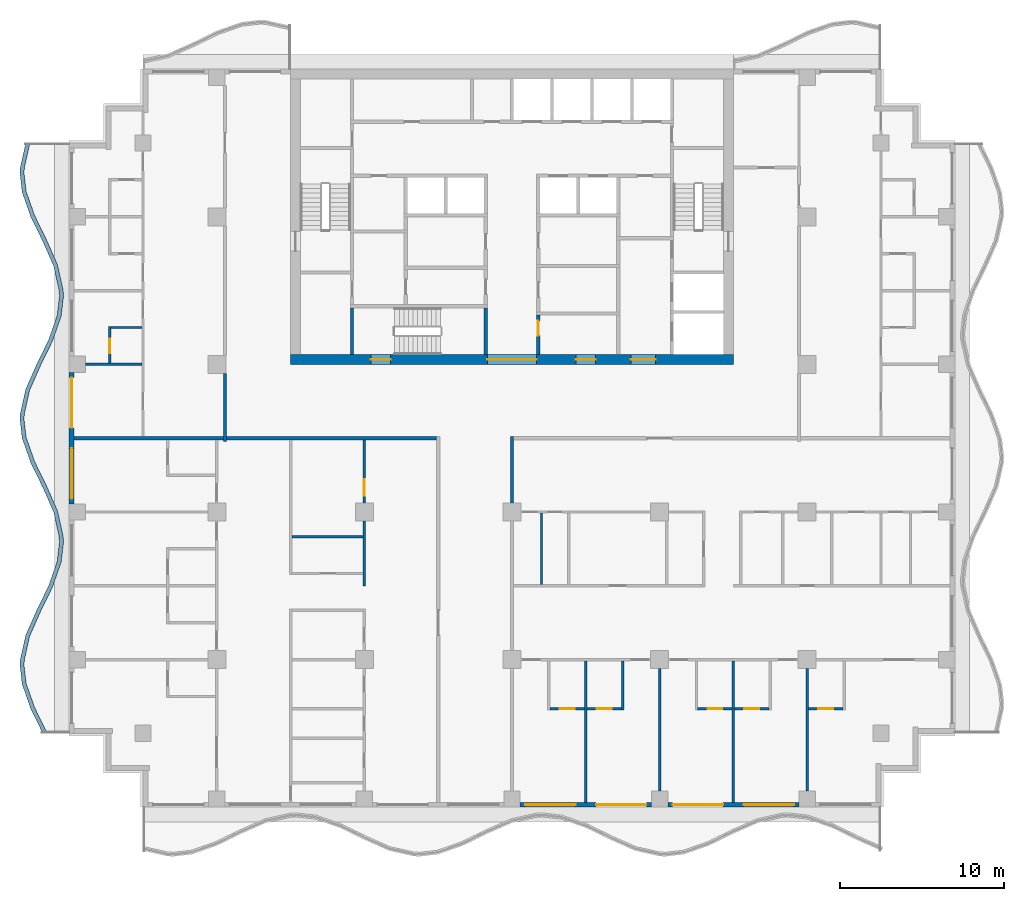
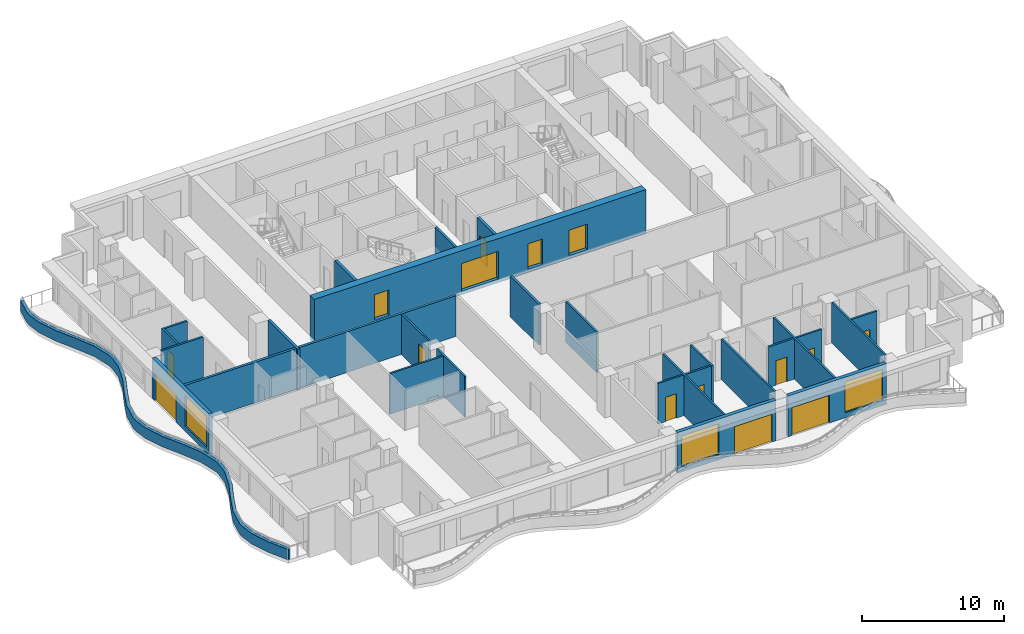
# One storey, part 3 of 12: 29 walls, 15 doors, 3 windows, 18 openings.
"""IFC4 building model written with IfcOpenShell, lengths in metres."""

import ifcopenshell
import ifcopenshell.guid

model = None  # the IFC model being written
_history = None  # IfcOwnerHistory: only IFC2X3 demands one
_inside = {}  # id of a spatial element -> (the spatial element, [elements in it])
_under = {}  # id of a project, library or spatial element -> (it, [spatial elements below it])
_declared = {}  # id of a project -> (the project, [libraries it declares])
_typed = {}  # id of a type object -> (the type object, [elements of that type])
_made_of = {}  # id of a material, layer set ... -> (it, [elements and type objects made of it])


def new_model(schema):
    """Start an empty IFC model of exactly this schema.

    Asked for "IFC4X3", IfcOpenShell would pick the latest addendum, in which some entities
    have other attributes; the version numbers below select the first issue.
    IFC2X3 requires an IfcOwnerHistory on every rooted entity: one is made here for all.
    """
    global model, _history
    if schema == "IFC4X3":
        model = ifcopenshell.file(schema_version=(4, 3, 0, 0))
    else:
        model = ifcopenshell.file(schema=schema)
    _inside.clear()
    _under.clear()
    _declared.clear()
    _typed.clear()
    _made_of.clear()
    _history = None
    if model.schema == "IFC2X3":
        org = make("IfcOrganization", Name="unknown")
        user = make(
            "IfcPersonAndOrganization",
            ThePerson=make("IfcPerson", FamilyName="unknown"),
            TheOrganization=org,
        )
        app = make(
            "IfcApplication",
            ApplicationDeveloper=org,
            Version="unknown",
            ApplicationFullName="unknown",
            ApplicationIdentifier="unknown",
        )
        _history = make(
            "IfcOwnerHistory",
            OwningUser=user,
            OwningApplication=app,
            ChangeAction="ADDED",
            CreationDate=0,
        )
    return model


def make(cls, **values):
    """One entity of the class cls with the attributes given. An attribute that is None is left unset."""
    return model.create_entity(
        cls, **{name: value for name, value in values.items() if value is not None}
    )


def rooted(cls, **values):
    """An entity with a GlobalId (a new one), such as an element, a storey or a relation."""
    return make(cls, GlobalId=ifcopenshell.guid.new(), OwnerHistory=_history, **values)


def si_unit(unit_type, name, prefix=None):
    """IfcSIUnit, for example si_unit("LENGTHUNIT", "METRE", prefix="MILLI")."""
    return make("IfcSIUnit", UnitType=unit_type, Prefix=prefix, Name=name)


def assignment(units):
    """IfcUnitAssignment: the units of a project."""
    return None if units is None else make("IfcUnitAssignment", Units=units)


def point(xyz):
    """IfcCartesianPoint."""
    return None if xyz is None else make("IfcCartesianPoint", Coordinates=xyz)


def direction(xyz):
    """IfcDirection."""
    return None if xyz is None else make("IfcDirection", DirectionRatios=xyz)


def frame(location, z_axis=None, x_axis=None):
    """IfcAxis2Placement3D, a coordinate frame: its origin and axes. An axis left out is left unset."""
    return make(
        "IfcAxis2Placement3D",
        Location=point(location),
        Axis=direction(z_axis),
        RefDirection=direction(x_axis),
    )


def frame_2d(location, x_axis=None):
    """IfcAxis2Placement2D, a coordinate frame in the plane: its origin and x axis."""
    return make(
        "IfcAxis2Placement2D", Location=point(location), RefDirection=direction(x_axis)
    )


def origin():
    """The frame at (0, 0, 0) with its axes left unset."""
    return frame((0.0, 0.0, 0.0))


def place(relative_to, where):
    """IfcLocalPlacement: puts the frame where relative to a parent placement (None: the world)."""
    return make(
        "IfcLocalPlacement", PlacementRelTo=relative_to, RelativePlacement=where
    )


def context(
    kind, dimensions, precision=None, world=None, true_north=None, identifier=None
):
    """IfcGeometricRepresentationContext, for example the 3D "Model" context."""
    return make(
        "IfcGeometricRepresentationContext",
        ContextIdentifier=identifier,
        ContextType=kind,
        CoordinateSpaceDimension=dimensions,
        Precision=precision,
        WorldCoordinateSystem=world,
        TrueNorth=true_north,
    )


def subcontext(parent, identifier, kind, view, scale=None):
    """IfcGeometricRepresentationSubContext, for example "Body" below "Model"."""
    return make(
        "IfcGeometricRepresentationSubContext",
        ContextIdentifier=identifier,
        ContextType=kind,
        ParentContext=parent,
        TargetScale=scale,
        TargetView=view,
    )


def project(units=None, contexts=None):
    """IfcProject with its units and contexts."""
    return rooted(
        "IfcProject",
        Name="project",
        RepresentationContexts=contexts,
        UnitsInContext=assignment(units),
    )


def spatial(cls, under=None, at=None, **own):
    """A site, building, storey or space (cls), placed at a placement, below another one or the project."""
    s = rooted(cls, ObjectPlacement=at, **own)
    if under is not None:
        _under.setdefault(under.id(), (under, []))[1].append(s)
    return s


def polyline(points):
    """IfcPolyline through the points."""
    return make("IfcPolyline", Points=[point(p) for p in points])


def profile(cls, at=None, kind="AREA", **sizes):
    """A parametric profile (cls). Its sizes go by their IFC names, for example OverallWidth=200.0."""
    return make(cls, ProfileType=kind, Position=at, **sizes)


def rectangle(**sizes):
    """IfcRectangleProfileDef."""
    return profile("IfcRectangleProfileDef", **sizes)


def outline(outer, holes=None, kind="AREA"):
    """IfcArbitraryClosedProfileDef: a profile drawn as a closed curve; with holes, ...WithVoids."""
    if holes is None:
        return make("IfcArbitraryClosedProfileDef", ProfileType=kind, OuterCurve=outer)
    return make(
        "IfcArbitraryProfileDefWithVoids",
        ProfileType=kind,
        OuterCurve=outer,
        InnerCurves=holes,
    )


def extrude(swept, where, along, depth):
    """IfcExtrudedAreaSolid: the profile swept, set in the frame where, extruded along a direction by depth."""
    return make(
        "IfcExtrudedAreaSolid",
        SweptArea=swept,
        Position=where,
        ExtrudedDirection=direction(along),
        Depth=depth,
    )


def shape(context_of_items, identifier, shape_type, items):
    """IfcShapeRepresentation: the items that make up one representation, for example the "Body"."""
    return make(
        "IfcShapeRepresentation",
        ContextOfItems=context_of_items,
        RepresentationIdentifier=identifier,
        RepresentationType=shape_type,
        Items=items,
    )


def material(Name=None, Category=None):
    """IfcMaterial."""
    return make("IfcMaterial", Name=Name, Category=Category)


def layer(
    of_material, thickness, ventilated=None, Name=None, Category=None, Priority=None
):
    """IfcMaterialLayer: one layer of a wall or slab, of a material (None: an air gap)."""
    return make(
        "IfcMaterialLayer",
        Material=of_material,
        LayerThickness=thickness,
        IsVentilated=ventilated,
        Name=Name,
        Category=Category,
        Priority=Priority,
    )


def layer_set(layers, Name=None):
    """IfcMaterialLayerSet."""
    return make("IfcMaterialLayerSet", MaterialLayers=layers, LayerSetName=Name)


def made_of(thing, what):
    """Note that an element or type object is made of a material, layer set ...; save() writes the relation."""
    if what is not None:
        _made_of.setdefault(what.id(), (what, []))[1].append(thing)
    return thing


def type_object(cls, material=None, **own):
    """A type object (cls), such as IfcWallType, which elements share."""
    return made_of(rooted(cls, **own), material)


def element(
    cls,
    number,
    at=None,
    inside=None,
    cuts=None,
    type_object=None,
    material=None,
    context=None,
    identifier="Body",
    shape_type=None,
    held_by="IfcProductDefinitionShape",
    body=None,
    shapes=None,
    **own,
):
    """One element of the class cls, such as IfcWall. Its Tag is "e" and its number.

    at: its placement. inside: the storey or other place that contains it. cuts: it is an
    opening in that element (IfcRelVoidsElement). A single representation is given by context,
    identifier, shape_type and body (its items); several are given by shapes. held_by: the class
    of the entity that holds the representations. save() writes the other relations.
    """
    e = rooted(cls, Tag="e%d" % number, ObjectPlacement=at, **own)
    if body is not None:
        shapes = [shape(context, identifier, shape_type, body)]
    if shapes is not None:
        e.Representation = make(held_by, Representations=shapes)
    if inside is not None:
        _inside.setdefault(inside.id(), (inside, []))[1].append(e)
    if cuts is not None:
        rooted(
            "IfcRelVoidsElement", RelatingBuildingElement=cuts, RelatedOpeningElement=e
        )
    if type_object is not None:
        _typed.setdefault(type_object.id(), (type_object, []))[1].append(e)
    return made_of(e, material)


def fill(opening, filler):
    """IfcRelFillsElement: the door or window that sits in an opening."""
    return rooted(
        "IfcRelFillsElement",
        RelatingOpeningElement=opening,
        RelatedBuildingElement=filler,
    )


def aggregate(whole, parts):
    """IfcRelAggregates: a whole, such as a stair, and the parts it consists of."""
    return rooted("IfcRelAggregates", RelatingObject=whole, RelatedObjects=parts)


def save(model, path):
    """Write the relations noted so far, then the file.

    IfcRelAggregates (storeys below a building ...), IfcRelContainedInSpatialStructure (elements
    in a storey), IfcRelDefinesByType, IfcRelAssociatesMaterial and IfcRelDeclares: one each for
    every whole, place, type object, material and project.
    """
    for whole, parts in _under.values():
        aggregate(whole, parts)
    for where, things in _inside.values():
        rooted(
            "IfcRelContainedInSpatialStructure",
            RelatedElements=things,
            RelatingStructure=where,
        )
    for kind, things in _typed.values():
        rooted("IfcRelDefinesByType", RelatedObjects=things, RelatingType=kind)
    for what, things in _made_of.values():
        rooted("IfcRelAssociatesMaterial", RelatedObjects=things, RelatingMaterial=what)
    for by, libraries in _declared.values():
        rooted("IfcRelDeclares", RelatingContext=by, RelatedDefinitions=libraries)
    model.write(path)


model = new_model("IFC4")

# Units and contexts
model_context = context("Model", 3, precision=1e-05, world=origin(), true_north=direction((0.0, 1.0)))
body_context = subcontext(model_context, "Body", "Model", "MODEL_VIEW")
ifc_project = project(units=[si_unit("LENGTHUNIT", "METRE"), si_unit("AREAUNIT", "SQUARE_METRE"), si_unit("VOLUMEUNIT", "CUBIC_METRE"), si_unit("PLANEANGLEUNIT", "RADIAN"), si_unit("MASSUNIT", "GRAM", prefix="KILO")], contexts=[model_context])

# Site, building, storey
site_placement = place(None, origin())
site = spatial("IfcSite", under=ifc_project, at=site_placement, CompositionType="ELEMENT")
building_placement = place(site_placement, origin())
building = spatial("IfcBuilding", under=site, at=building_placement, Name="Orbiselva Terraces", CompositionType="ELEMENT")
storey_placement = place(building_placement, frame((0.0, 0.0, 214.8)))
storey = spatial("IfcBuildingStorey", under=building, at=storey_placement, Name="L54", CompositionType="ELEMENT", Elevation=214.8)

# Wall, openings, doors
ifc_material_1 = material(Name="Concrete C80/95", Category="concrete")
ifc_layer_1 = layer(ifc_material_1, 0.6)
ifc_layer_set_1 = layer_set([ifc_layer_1], Name="Concrete C80/95")
wall_type_1 = type_object("IfcWallType", Name="CORE WALL 600", PredefinedType="SHEAR", material=ifc_layer_set_1)
wall_1_placement = place(storey_placement, frame((-13.5, 4.8, -0.3), z_axis=(0.0, 0.0, 1.0), x_axis=(1.0, 0.0, 0.0)))
wall_1 = element("IfcWall", 1, at=wall_1_placement, inside=storey, type_object=wall_type_1, Name="Core wall L54 south", PredefinedType="SHEAR", context=body_context, shape_type="SweptSolid", body=[
    extrude(rectangle(XDim=27.0, YDim=0.6, at=frame_2d((13.5, 0.0))), origin(), (0.0, 0.0, 1.0), 3.8),
])
opening_1_placement = place(wall_1_placement, frame((12.0, 0.0, 0.3)))
opening_1 = element("IfcOpeningElement", 2, at=opening_1_placement, cuts=wall_1, Name="Opening DL3000", PredefinedType="OPENING", context=body_context, shape_type="SweptSolid", body=[
    extrude(rectangle(XDim=3.0, YDim=2.4, at=frame_2d((1.5, 1.2))), frame((0.0, 0.31, 0.0), z_axis=(0.0, -1.0, 0.0), x_axis=(1.0, 0.0, 0.0)), (0.0, 0.0, 1.0), 0.62),
])
opening_2_placement = place(wall_1_placement, frame((4.9, 0.0, 0.3)))
opening_2 = element("IfcOpeningElement", 3, at=opening_2_placement, cuts=wall_1, Name="Opening DS1200", PredefinedType="OPENING", context=body_context, shape_type="SweptSolid", body=[
    extrude(rectangle(XDim=1.2, YDim=2.2, at=frame_2d((0.6, 1.1))), frame((0.0, 0.31, 0.0), z_axis=(0.0, -1.0, 0.0), x_axis=(1.0, 0.0, 0.0)), (0.0, 0.0, 1.0), 0.62),
])
opening_3_placement = place(wall_1_placement, frame((20.75, 0.0, 0.3)))
opening_3 = element("IfcOpeningElement", 4, at=opening_3_placement, cuts=wall_1, Name="Opening DF1500", PredefinedType="OPENING", context=body_context, shape_type="SweptSolid", body=[
    extrude(rectangle(XDim=1.5, YDim=2.2, at=frame_2d((0.75, 1.1))), frame((0.0, 0.31, 0.0), z_axis=(0.0, -1.0, 0.0), x_axis=(1.0, 0.0, 0.0)), (0.0, 0.0, 1.0), 0.62),
])
opening_4_placement = place(wall_1_placement, frame((17.4, 0.0, 0.3)))
opening_4 = element("IfcOpeningElement", 5, at=opening_4_placement, cuts=wall_1, Name="Opening DV1200", PredefinedType="OPENING", context=body_context, shape_type="SweptSolid", body=[
    extrude(rectangle(XDim=1.2, YDim=2.2, at=frame_2d((0.6, 1.1))), frame((0.0, 0.31, 0.0), z_axis=(0.0, -1.0, 0.0), x_axis=(1.0, 0.0, 0.0)), (0.0, 0.0, 1.0), 0.62),
])
ifc_material_2 = material(Name="Steel fire door", Category="steel")
door_type_1 = type_object("IfcDoorType", Name="FFL DOOR 1500", OperationType="DOUBLE_DOOR_SINGLE_SWING", PredefinedType="DOOR", material=ifc_material_2)
door_1_placement = place(opening_3_placement, frame((1.5, 0.0, 0.0), z_axis=(0.0, 0.0, 1.0), x_axis=(-1.0, 0.0, 0.0)))
door_1 = element("IfcDoor", 6, at=door_1_placement, inside=storey, type_object=door_type_1, Name="L54 FIRE-FIGHTING LOBBY door", OperationType="DOUBLE_DOOR_SINGLE_SWING", OverallHeight=2.2, OverallWidth=1.5, PredefinedType="DOOR", context=body_context, shape_type="SweptSolid", body=[
    extrude(rectangle(XDim=1.5, YDim=2.2, at=frame_2d((0.75, 1.1))), frame((0.0, 0.025, 0.0), z_axis=(0.0, -1.0, 0.0), x_axis=(1.0, 0.0, 0.0)), (0.0, 0.0, 1.0), 0.05),
])
fill(opening_3, door_1)
door_type_2 = type_object("IfcDoorType", Name="LOBBY DOOR 3000", OperationType="DOUBLE_DOOR_SINGLE_SWING", PredefinedType="DOOR", material=ifc_material_2)
door_2_placement = place(opening_1_placement, frame((3.0, 0.0, 0.0), z_axis=(0.0, 0.0, 1.0), x_axis=(-1.0, 0.0, 0.0)))
door_2 = element("IfcDoor", 7, at=door_2_placement, inside=storey, type_object=door_type_2, Name="L54 LIFT LOBBY door", OperationType="DOUBLE_DOOR_SINGLE_SWING", OverallHeight=2.4, OverallWidth=3.0, PredefinedType="DOOR", context=body_context, shape_type="SweptSolid", body=[
    extrude(rectangle(XDim=3.0, YDim=2.4, at=frame_2d((1.5, 1.2))), frame((0.0, 0.025, 0.0), z_axis=(0.0, -1.0, 0.0), x_axis=(1.0, 0.0, 0.0)), (0.0, 0.0, 1.0), 0.05),
])
fill(opening_1, door_2)
door_type_3 = type_object("IfcDoorType", Name="SERVICE DOOR 1200", OperationType="NOTDEFINED", PredefinedType="DOOR", material=ifc_material_2)
door_3_placement = place(opening_4_placement, frame((1.2, 0.0, 0.0), z_axis=(0.0, 0.0, 1.0), x_axis=(-1.0, 0.0, 0.0)))
door_3 = element("IfcDoor", 8, at=door_3_placement, inside=storey, type_object=door_type_3, Name="L54 ELECTRICAL RISER ROOM door", OperationType="SINGLE_SWING_RIGHT", OverallHeight=2.2, OverallWidth=1.2, PredefinedType="DOOR", context=body_context, shape_type="SweptSolid", body=[
    extrude(rectangle(XDim=1.2, YDim=2.2, at=frame_2d((0.6, 1.1))), frame((0.0, 0.025, 0.0), z_axis=(0.0, -1.0, 0.0), x_axis=(1.0, 0.0, 0.0)), (0.0, 0.0, 1.0), 0.05),
])
fill(opening_4, door_3)
door_type_4 = type_object("IfcDoorType", Name="STAIR DOOR 1200", OperationType="NOTDEFINED", PredefinedType="DOOR", material=ifc_material_2)
door_4_placement = place(opening_2_placement, frame((1.2, 0.0, 0.0), z_axis=(0.0, 0.0, 1.0), x_axis=(-1.0, 0.0, 0.0)))
door_4 = element("IfcDoor", 9, at=door_4_placement, inside=storey, type_object=door_type_4, Name="L54 EXIT STAIR S3 door", OperationType="SINGLE_SWING_LEFT", OverallHeight=2.2, OverallWidth=1.2, PredefinedType="DOOR", context=body_context, shape_type="SweptSolid", body=[
    extrude(rectangle(XDim=1.2, YDim=2.2, at=frame_2d((0.6, 1.1))), frame((0.0, 0.025, 0.0), z_axis=(0.0, -1.0, 0.0), x_axis=(1.0, 0.0, 0.0)), (0.0, 0.0, 1.0), 0.05),
])
fill(opening_2, door_4)

# Wall, opening, door
ifc_material_3 = material(Name="Masonry blockwork", Category="masonry")
ifc_layer_2 = layer(ifc_material_3, 0.2)
ifc_layer_set_2 = layer_set([ifc_layer_2], Name="Masonry blockwork")
wall_type_2 = type_object("IfcWallType", Name="CORE-WALL-PARTITION-200", PredefinedType="PARTITIONING", material=ifc_layer_set_2)
wall_2_placement = place(storey_placement, frame((1.6, 7.5, 0.0), z_axis=(0.0, 0.0, 1.0), x_axis=(0.0, -1.0, 0.0)))
wall_2 = element("IfcWall", 10, at=wall_2_placement, inside=storey, type_object=wall_type_2, Name="L54 core wall 27", PredefinedType="PARTITIONING", context=body_context, shape_type="SweptSolid", body=[
    extrude(rectangle(XDim=2.4, YDim=0.2, at=frame_2d((1.2, 0.0))), origin(), (0.0, 0.0, 1.0), 3.5),
])
opening_5_placement = place(wall_2_placement, frame((0.35, 0.0, 0.0)))
opening_5 = element("IfcOpeningElement", 11, at=opening_5_placement, cuts=wall_2, Name="Opening DR900", PredefinedType="OPENING", context=body_context, shape_type="SweptSolid", body=[
    extrude(rectangle(XDim=0.9, YDim=2.1, at=frame_2d((0.45, 1.05))), frame((0.0, 0.11, 0.0), z_axis=(0.0, -1.0, 0.0), x_axis=(1.0, 0.0, 0.0)), (0.0, 0.0, 1.0), 0.22),
])
door_type_5 = type_object("IfcDoorType", Name="ROOM DOOR 900", OperationType="NOTDEFINED", PredefinedType="DOOR", material=ifc_material_2)
door_5_placement = place(opening_5_placement, origin())
door_5 = element("IfcDoor", 12, at=door_5_placement, inside=storey, type_object=door_type_5, Name="L54 ELECTRICAL RISER ROOM door", OperationType="SINGLE_SWING_LEFT", OverallHeight=2.1, OverallWidth=0.9, PredefinedType="DOOR", context=body_context, shape_type="SweptSolid", body=[
    extrude(rectangle(XDim=0.9, YDim=2.1, at=frame_2d((0.45, 1.05))), frame((0.0, 0.025, 0.0), z_axis=(0.0, -1.0, 0.0), x_axis=(1.0, 0.0, 0.0)), (0.0, 0.0, 1.0), 0.05),
])
fill(opening_5, door_5)

# Walls
ifc_material_4 = material(Name="Concrete C60/75", Category="concrete")
ifc_layer_3 = layer(ifc_material_4, 0.2)
ifc_layer_set_3 = layer_set([ifc_layer_3], Name="Concrete C60/75")
wall_type_3 = type_object("IfcWallType", Name="CORE-WALL-SHEAR-200", PredefinedType="SHEAR", material=ifc_layer_set_3)
for number, where, z_axis, x_axis, name in (
    (13, (-9.75, 5.1, 0.0), (0.0, 0.0, 1.0), (0.0, 1.0, 0.0), "L54 core wall 03"),
    (14, (-1.6, 5.1, 0.0), (0.0, 0.0, 1.0), (0.0, 1.0, 0.0), "L54 core wall 22"),
):
    element("IfcWall", number, at=place(storey_placement, frame(where, z_axis=z_axis, x_axis=x_axis)), inside=storey, type_object=wall_type_3, Name=name, PredefinedType="SHEAR", context=body_context, shape_type="SweptSolid", body=[
        extrude(rectangle(XDim=2.85, YDim=0.2, at=frame_2d((1.425, 0.0))), origin(), (0.0, 0.0, 1.0), 3.5),
    ])
ifc_material_5 = material(Name="Concrete C40/50", Category="concrete")
ifc_layer_4 = layer(ifc_material_5, 0.25)
ifc_layer_set_4 = layer_set([ifc_layer_4], Name="Concrete C40/50")
wall_type_4 = type_object("IfcWallType", Name="ENV-PLANTER-250x900", PredefinedType="USERDEFINED", material=ifc_layer_set_4)
wall_3_placement = place(storey_placement, origin())
element("IfcWall", 15, at=wall_3_placement, inside=storey, type_object=wall_type_4, Name="Balcony planter L54 W", ObjectType="PLANTER", PredefinedType="USERDEFINED", context=body_context, shape_type="SweptSolid", body=[
    extrude(outline(polyline([(-29.648528, 18.0), (-29.985226, 16.5), (-30.0, 16.125), (-29.869208, 15.0), (-29.344789, 13.5), (-28.612279, 12.0), (-27.951472, 10.5), (-27.614774, 9.0), (-27.6, 8.625), (-27.730792, 7.5), (-28.255211, 6.0), (-28.987721, 4.5), (-29.648528, 3.0), (-29.985226, 1.5), (-30.0, 1.125), (-29.869208, 0.0), (-29.344789, -1.5), (-28.612279, -3.0), (-27.951472, -4.5), (-27.614774, -6.0), (-27.6, -6.375), (-27.730792, -7.5), (-28.255211, -9.0), (-28.987721, -10.5), (-29.648528, -12.0), (-29.985226, -13.5), (-30.0, -13.875), (-29.869208, -15.0), (-29.344789, -16.5), (-28.612279, -18.0), (-28.387634, -17.890297), (-29.113667, -16.40356), (-29.624078, -14.943629), (-29.749429, -13.865428), (-29.736315, -13.532565), (-29.40993, -12.078508), (-28.760919, -10.605286), (-28.024089, -9.09644), (-27.485662, -7.556371), (-27.349429, -6.384572), (-27.365863, -5.967435), (-27.712874, -4.421492), (-28.385477, -2.894714), (-29.113667, -1.40356), (-29.624078, 0.056371), (-29.749429, 1.134572), (-29.736315, 1.467435), (-29.40993, 2.921492), (-28.760919, 4.394714), (-28.024089, 5.90356), (-27.485662, 7.443629), (-27.349429, 8.615428), (-27.365863, 9.032565), (-27.712874, 10.578508), (-28.385477, 12.105286), (-29.113667, 13.59644), (-29.624078, 15.056371), (-29.749429, 16.134572), (-29.736315, 16.467435), (-29.404598, 17.945246), (-29.648528, 18.0)])), origin(), (0.0, 0.0, 1.0), 0.9),
])

# Wall, openings, door, window
ifc_material_6 = material(Name="Terracotta cladding on masonry backing", Category="masonry")
ifc_layer_5 = layer(ifc_material_6, 0.3)
ifc_layer_set_5 = layer_set([ifc_layer_5], Name="Terracotta cladding on masonry backing")
wall_type_5 = type_object("IfcWallType", Name="ENV-WALL-TERRACOTTA-300", PredefinedType="SOLIDWALL", material=ifc_layer_set_5)
wall_4_placement = place(storey_placement, frame((8.5, -22.35, 0.0), z_axis=(0.0, 0.0, 1.0), x_axis=(-1.0, 0.0, 0.0)))
wall_4 = element("IfcWall", 16, at=wall_4_placement, inside=storey, type_object=wall_type_5, Name="Facade wall L54 S", PredefinedType="SOLIDWALL", context=body_context, shape_type="SweptSolid", body=[
    extrude(rectangle(XDim=8.0, YDim=0.3, at=frame_2d((4.0, 0.0))), origin(), (0.0, 0.0, 1.0), 3.5),
])
opening_6_placement = place(wall_4_placement, frame((4.625, 0.0, 0.45)))
opening_6 = element("IfcOpeningElement", 17, at=opening_6_placement, cuts=wall_4, Name="Opening WN15", PredefinedType="OPENING", context=body_context, shape_type="SweptSolid", body=[
    extrude(rectangle(XDim=3.075, YDim=2.65, at=frame_2d((1.5375, 1.325))), frame((0.0, 0.16, 0.0), z_axis=(0.0, -1.0, 0.0), x_axis=(1.0, 0.0, 0.0)), (0.0, 0.0, 1.0), 0.32),
])
opening_7_placement = place(wall_4_placement, frame((0.3, 0.0, 0.0)))
opening_7 = element("IfcOpeningElement", 18, at=opening_7_placement, cuts=wall_4, Name="Opening Z4-C-E19", PredefinedType="OPENING", context=body_context, shape_type="SweptSolid", body=[
    extrude(rectangle(XDim=3.075, YDim=2.4, at=frame_2d((1.5375, 1.2))), frame((0.0, 0.16, 0.0), z_axis=(0.0, -1.0, 0.0), x_axis=(1.0, 0.0, 0.0)), (0.0, 0.0, 1.0), 0.32),
])
ifc_material_7 = material(Name="Clear low-e glazing in aluminium frame", Category="aluminium")
door_type_6 = type_object("IfcDoorType", Name="BALCONY DOOR 3075 X 2400", OperationType="DOUBLE_DOOR_SLIDING", PredefinedType="DOOR", material=ifc_material_7)
door_6_placement = place(opening_7_placement, origin())
door_6 = element("IfcDoor", 19, at=door_6_placement, inside=storey, type_object=door_type_6, Name="Z4-C-E19", OperationType="SINGLE_SWING_LEFT", OverallHeight=2.4, OverallWidth=3.075, PredefinedType="DOOR", context=body_context, shape_type="SweptSolid", body=[
    extrude(rectangle(XDim=3.075, YDim=2.4, at=frame_2d((1.5375, 1.2))), frame((0.0, 0.025, 0.0), z_axis=(0.0, -1.0, 0.0), x_axis=(1.0, 0.0, 0.0)), (0.0, 0.0, 1.0), 0.05),
])
fill(opening_7, door_6)
window_type = type_object("IfcWindowType", Name="WINDOW 3075 X 2650 S450", PartitioningType="TRIPLE_PANEL_VERTICAL", PredefinedType="WINDOW", material=ifc_material_7)
window_1_placement = place(opening_6_placement, origin())
window_1 = element("IfcWindow", 20, at=window_1_placement, inside=storey, type_object=window_type, Name="Window L54 S", OverallHeight=2.65, OverallWidth=3.075, PartitioningType="SINGLE_PANEL", PredefinedType="WINDOW", context=body_context, shape_type="SweptSolid", body=[
    extrude(rectangle(XDim=3.075, YDim=2.65, at=frame_2d((1.5375, 1.325))), frame((0.0, 0.03, 0.0), z_axis=(0.0, -1.0, 0.0), x_axis=(1.0, 0.0, 0.0)), (0.0, 0.0, 1.0), 0.06),
])
fill(opening_6, window_1)

wall_5_placement = place(storey_placement, frame((17.5, -22.35, 0.0), z_axis=(0.0, 0.0, 1.0), x_axis=(-1.0, 0.0, 0.0)))
wall_5 = element("IfcWall", 21, at=wall_5_placement, inside=storey, type_object=wall_type_5, Name="Facade wall L54 S", PredefinedType="SOLIDWALL", context=body_context, shape_type="SweptSolid", body=[
    extrude(rectangle(XDim=8.0, YDim=0.3, at=frame_2d((4.0, 0.0))), origin(), (0.0, 0.0, 1.0), 3.5),
])
opening_8_placement = place(wall_5_placement, frame((4.625, 0.0, 0.0)))
opening_8 = element("IfcOpeningElement", 22, at=opening_8_placement, cuts=wall_5, Name="Opening Z4-C-E03", PredefinedType="OPENING", context=body_context, shape_type="SweptSolid", body=[
    extrude(rectangle(XDim=3.075, YDim=2.4, at=frame_2d((1.5375, 1.2))), frame((0.0, 0.16, 0.0), z_axis=(0.0, -1.0, 0.0), x_axis=(1.0, 0.0, 0.0)), (0.0, 0.0, 1.0), 0.32),
])
opening_9_placement = place(wall_5_placement, frame((0.3, 0.0, 0.45)))
opening_9 = element("IfcOpeningElement", 23, at=opening_9_placement, cuts=wall_5, Name="Opening WN15", PredefinedType="OPENING", context=body_context, shape_type="SweptSolid", body=[
    extrude(rectangle(XDim=3.075, YDim=2.65, at=frame_2d((1.5375, 1.325))), frame((0.0, 0.16, 0.0), z_axis=(0.0, -1.0, 0.0), x_axis=(1.0, 0.0, 0.0)), (0.0, 0.0, 1.0), 0.32),
])
door_7_placement = place(opening_8_placement, origin())
door_7 = element("IfcDoor", 24, at=door_7_placement, inside=storey, type_object=door_type_6, Name="Z4-C-E03", OperationType="SINGLE_SWING_LEFT", OverallHeight=2.4, OverallWidth=3.075, PredefinedType="DOOR", context=body_context, shape_type="SweptSolid", body=[
    extrude(rectangle(XDim=3.075, YDim=2.4, at=frame_2d((1.5375, 1.2))), frame((0.0, 0.025, 0.0), z_axis=(0.0, -1.0, 0.0), x_axis=(1.0, 0.0, 0.0)), (0.0, 0.0, 1.0), 0.05),
])
fill(opening_8, door_7)
window_2_placement = place(opening_9_placement, origin())
window_2 = element("IfcWindow", 25, at=window_2_placement, inside=storey, type_object=window_type, Name="Window L54 S", OverallHeight=2.65, OverallWidth=3.075, PartitioningType="SINGLE_PANEL", PredefinedType="WINDOW", context=body_context, shape_type="SweptSolid", body=[
    extrude(rectangle(XDim=3.075, YDim=2.65, at=frame_2d((1.5375, 1.325))), frame((0.0, 0.03, 0.0), z_axis=(0.0, -1.0, 0.0), x_axis=(1.0, 0.0, 0.0)), (0.0, 0.0, 1.0), 0.06),
])
fill(opening_9, window_2)

wall_6_placement = place(storey_placement, frame((-26.85, -4.0, 0.0), z_axis=(0.0, 0.0, 1.0), x_axis=(0.0, 1.0, 0.0)))
wall_6 = element("IfcWall", 26, at=wall_6_placement, inside=storey, type_object=wall_type_5, Name="Facade wall L54 W", PredefinedType="SOLIDWALL", context=body_context, shape_type="SweptSolid", body=[
    extrude(rectangle(XDim=8.0, YDim=0.3, at=frame_2d((4.0, 0.0))), origin(), (0.0, 0.0, 1.0), 3.5),
])
opening_10_placement = place(wall_6_placement, frame((4.625, 0.0, 0.0)))
opening_10 = element("IfcOpeningElement", 27, at=opening_10_placement, cuts=wall_6, Name="Opening Z4-C-E22", PredefinedType="OPENING", context=body_context, shape_type="SweptSolid", body=[
    extrude(rectangle(XDim=3.075, YDim=2.4, at=frame_2d((1.5375, 1.2))), frame((0.0, 0.16, 0.0), z_axis=(0.0, -1.0, 0.0), x_axis=(1.0, 0.0, 0.0)), (0.0, 0.0, 1.0), 0.32),
])
opening_11_placement = place(wall_6_placement, frame((0.3, 0.0, 0.45)))
opening_11 = element("IfcOpeningElement", 28, at=opening_11_placement, cuts=wall_6, Name="Opening WN15", PredefinedType="OPENING", context=body_context, shape_type="SweptSolid", body=[
    extrude(rectangle(XDim=3.075, YDim=2.65, at=frame_2d((1.5375, 1.325))), frame((0.0, 0.16, 0.0), z_axis=(0.0, -1.0, 0.0), x_axis=(1.0, 0.0, 0.0)), (0.0, 0.0, 1.0), 0.32),
])
door_8_placement = place(opening_10_placement, origin())
door_8 = element("IfcDoor", 29, at=door_8_placement, inside=storey, type_object=door_type_6, Name="Z4-C-E22", OperationType="SINGLE_SWING_LEFT", OverallHeight=2.4, OverallWidth=3.075, PredefinedType="DOOR", context=body_context, shape_type="SweptSolid", body=[
    extrude(rectangle(XDim=3.075, YDim=2.4, at=frame_2d((1.5375, 1.2))), frame((0.0, 0.025, 0.0), z_axis=(0.0, -1.0, 0.0), x_axis=(1.0, 0.0, 0.0)), (0.0, 0.0, 1.0), 0.05),
])
fill(opening_10, door_8)
window_3_placement = place(opening_11_placement, origin())
window_3 = element("IfcWindow", 30, at=window_3_placement, inside=storey, type_object=window_type, Name="Window L54 W", OverallHeight=2.65, OverallWidth=3.075, PartitioningType="SINGLE_PANEL", PredefinedType="WINDOW", context=body_context, shape_type="SweptSolid", body=[
    extrude(rectangle(XDim=3.075, YDim=2.65, at=frame_2d((1.5375, 1.325))), frame((0.0, 0.03, 0.0), z_axis=(0.0, -1.0, 0.0), x_axis=(1.0, 0.0, 0.0)), (0.0, 0.0, 1.0), 0.06),
])
fill(opening_11, window_3)

# Walls
ifc_material_8 = material(Name="Plasterboard on steel stud partition", Category="steel")
ifc_layer_6 = layer(ifc_material_8, 0.2)
ifc_layer_set_6 = layer_set([ifc_layer_6], Name="Plasterboard on steel stud partition")
wall_type_6 = type_object("IfcWallType", Name="UNIT-ENTRANCE-WALL-200", PredefinedType="PARTITIONING", material=ifc_layer_set_6)
wall_7_placement = place(storey_placement, frame((-17.4, 0.0, 0.0), z_axis=(0.0, 0.0, 1.0), x_axis=(1.0, 0.0, 0.0)))
element("IfcWall", 31, at=wall_7_placement, inside=storey, type_object=wall_type_6, Name="PARTITION L54-030", PredefinedType="PARTITIONING", context=body_context, shape_type="SweptSolid", body=[
    extrude(rectangle(XDim=12.8, YDim=0.2, at=frame_2d((6.4, 0.0))), origin(), (0.0, 0.0, 1.0), 3.5),
])
wall_8_placement = place(storey_placement, frame((-17.5, -0.2, 0.0), z_axis=(0.0, 0.0, 1.0), x_axis=(0.0, 1.0, 0.0)))
element("IfcWall", 32, at=wall_8_placement, inside=storey, type_object=wall_type_6, Name="PARTITION L54-059", PredefinedType="PARTITIONING", context=body_context, shape_type="SweptSolid", body=[
    extrude(rectangle(XDim=4.15, YDim=0.2, at=frame_2d((2.075, 0.0))), origin(), (0.0, 0.0, 1.0), 3.5),
])
wall_9_placement = place(storey_placement, frame((0.0, -3.95, 0.0), z_axis=(0.0, 0.0, 1.0), x_axis=(0.0, 1.0, 0.0)))
element("IfcWall", 33, at=wall_9_placement, inside=storey, type_object=wall_type_6, Name="PARTITION L54-071", PredefinedType="PARTITIONING", context=body_context, shape_type="SweptSolid", body=[
    extrude(rectangle(XDim=4.05, YDim=0.2, at=frame_2d((2.025, 0.0))), origin(), (0.0, 0.0, 1.0), 3.5),
])

# Wall, opening, door
ifc_layer_7 = layer(ifc_material_8, 0.15)
ifc_layer_set_7 = layer_set([ifc_layer_7], Name="Plasterboard on steel stud partition")
wall_type_7 = type_object("IfcWallType", Name="UNIT-PARTITION-150", PredefinedType="PARTITIONING", material=ifc_layer_set_7)
wall_10_placement = place(storey_placement, frame((2.325, -16.5, 0.0), z_axis=(0.0, 0.0, 1.0), x_axis=(1.0, 0.0, 0.0)))
wall_10 = element("IfcWall", 34, at=wall_10_placement, inside=storey, type_object=wall_type_7, Name="PARTITION L54-004", PredefinedType="PARTITIONING", context=body_context, shape_type="SweptSolid", body=[
    extrude(rectangle(XDim=2.1, YDim=0.15, at=frame_2d((1.05, 0.0))), origin(), (0.0, 0.0, 1.0), 3.5),
])
opening_12_placement = place(wall_10_placement, frame((0.6, 0.0, 0.0)))
opening_12 = element("IfcOpeningElement", 35, at=opening_12_placement, cuts=wall_10, Name="Opening Z4-C-45", PredefinedType="OPENING", context=body_context, shape_type="SweptSolid", body=[
    extrude(rectangle(XDim=0.9, YDim=2.1, at=frame_2d((0.45, 1.05))), frame((0.0, 0.085, 0.0), z_axis=(0.0, -1.0, 0.0), x_axis=(1.0, 0.0, 0.0)), (0.0, 0.0, 1.0), 0.17),
])
ifc_material_9 = material(Name="Painted timber door leaf", Category="wood")
door_type_7 = type_object("IfcDoorType", Name="BATH DOOR 900", OperationType="NOTDEFINED", PredefinedType="DOOR", material=ifc_material_9)
door_9_placement = place(opening_12_placement, origin())
door_9 = element("IfcDoor", 36, at=door_9_placement, inside=storey, type_object=door_type_7, Name="Z4-C-45", OperationType="SINGLE_SWING_RIGHT", OverallHeight=2.1, OverallWidth=0.9, PredefinedType="DOOR", context=body_context, shape_type="SweptSolid", body=[
    extrude(rectangle(XDim=0.9, YDim=2.1, at=frame_2d((0.45, 1.05))), frame((0.0, 0.025, 0.0), z_axis=(0.0, -1.0, 0.0), x_axis=(1.0, 0.0, 0.0)), (0.0, 0.0, 1.0), 0.05),
])
fill(opening_12, door_9)

wall_11_placement = place(storey_placement, frame((4.575, -16.5, 0.0), z_axis=(0.0, 0.0, 1.0), x_axis=(1.0, 0.0, 0.0)))
wall_11 = element("IfcWall", 37, at=wall_11_placement, inside=storey, type_object=wall_type_7, Name="PARTITION L54-005", PredefinedType="PARTITIONING", context=body_context, shape_type="SweptSolid", body=[
    extrude(rectangle(XDim=2.1, YDim=0.15, at=frame_2d((1.05, 0.0))), origin(), (0.0, 0.0, 1.0), 3.5),
])
opening_13_placement = place(wall_11_placement, frame((0.6, 0.0, 0.0)))
opening_13 = element("IfcOpeningElement", 38, at=opening_13_placement, cuts=wall_11, Name="Opening Z4-C-47", PredefinedType="OPENING", context=body_context, shape_type="SweptSolid", body=[
    extrude(rectangle(XDim=0.9, YDim=2.1, at=frame_2d((0.45, 1.05))), frame((0.0, 0.085, 0.0), z_axis=(0.0, -1.0, 0.0), x_axis=(1.0, 0.0, 0.0)), (0.0, 0.0, 1.0), 0.17),
])
door_10_placement = place(opening_13_placement, origin())
door_10 = element("IfcDoor", 39, at=door_10_placement, inside=storey, type_object=door_type_7, Name="Z4-C-47", OperationType="SINGLE_SWING_LEFT", OverallHeight=2.1, OverallWidth=0.9, PredefinedType="DOOR", context=body_context, shape_type="SweptSolid", body=[
    extrude(rectangle(XDim=0.9, YDim=2.1, at=frame_2d((0.45, 1.05))), frame((0.0, 0.025, 0.0), z_axis=(0.0, -1.0, 0.0), x_axis=(1.0, 0.0, 0.0)), (0.0, 0.0, 1.0), 0.05),
])
fill(opening_13, door_10)

wall_12_placement = place(storey_placement, frame((11.325, -16.5, 0.0), z_axis=(0.0, 0.0, 1.0), x_axis=(1.0, 0.0, 0.0)))
wall_12 = element("IfcWall", 40, at=wall_12_placement, inside=storey, type_object=wall_type_7, Name="PARTITION L54-006", PredefinedType="PARTITIONING", context=body_context, shape_type="SweptSolid", body=[
    extrude(rectangle(XDim=2.1, YDim=0.15, at=frame_2d((1.05, 0.0))), origin(), (0.0, 0.0, 1.0), 3.5),
])
opening_14_placement = place(wall_12_placement, frame((0.6, 0.0, 0.0)))
opening_14 = element("IfcOpeningElement", 41, at=opening_14_placement, cuts=wall_12, Name="Opening Z4-C-49", PredefinedType="OPENING", context=body_context, shape_type="SweptSolid", body=[
    extrude(rectangle(XDim=0.9, YDim=2.1, at=frame_2d((0.45, 1.05))), frame((0.0, 0.085, 0.0), z_axis=(0.0, -1.0, 0.0), x_axis=(1.0, 0.0, 0.0)), (0.0, 0.0, 1.0), 0.17),
])
door_11_placement = place(opening_14_placement, origin())
door_11 = element("IfcDoor", 42, at=door_11_placement, inside=storey, type_object=door_type_7, Name="Z4-C-49", OperationType="SINGLE_SWING_LEFT", OverallHeight=2.1, OverallWidth=0.9, PredefinedType="DOOR", context=body_context, shape_type="SweptSolid", body=[
    extrude(rectangle(XDim=0.9, YDim=2.1, at=frame_2d((0.45, 1.05))), frame((0.0, 0.025, 0.0), z_axis=(0.0, -1.0, 0.0), x_axis=(1.0, 0.0, 0.0)), (0.0, 0.0, 1.0), 0.05),
])
fill(opening_14, door_11)

wall_13_placement = place(storey_placement, frame((13.575, -16.5, 0.0), z_axis=(0.0, 0.0, 1.0), x_axis=(1.0, 0.0, 0.0)))
wall_13 = element("IfcWall", 43, at=wall_13_placement, inside=storey, type_object=wall_type_7, Name="PARTITION L54-007", PredefinedType="PARTITIONING", context=body_context, shape_type="SweptSolid", body=[
    extrude(rectangle(XDim=2.1, YDim=0.15, at=frame_2d((1.05, 0.0))), origin(), (0.0, 0.0, 1.0), 3.5),
])
opening_15_placement = place(wall_13_placement, frame((0.6, 0.0, 0.0)))
opening_15 = element("IfcOpeningElement", 44, at=opening_15_placement, cuts=wall_13, Name="Opening Z4-C-51", PredefinedType="OPENING", context=body_context, shape_type="SweptSolid", body=[
    extrude(rectangle(XDim=0.9, YDim=2.1, at=frame_2d((0.45, 1.05))), frame((0.0, 0.085, 0.0), z_axis=(0.0, -1.0, 0.0), x_axis=(1.0, 0.0, 0.0)), (0.0, 0.0, 1.0), 0.17),
])
door_12_placement = place(opening_15_placement, origin())
door_12 = element("IfcDoor", 45, at=door_12_placement, inside=storey, type_object=door_type_7, Name="Z4-C-51", OperationType="SINGLE_SWING_LEFT", OverallHeight=2.1, OverallWidth=0.9, PredefinedType="DOOR", context=body_context, shape_type="SweptSolid", body=[
    extrude(rectangle(XDim=0.9, YDim=2.1, at=frame_2d((0.45, 1.05))), frame((0.0, 0.025, 0.0), z_axis=(0.0, -1.0, 0.0), x_axis=(1.0, 0.0, 0.0)), (0.0, 0.0, 1.0), 0.05),
])
fill(opening_15, door_12)

wall_14_placement = place(storey_placement, frame((18.075, -16.5, 0.0), z_axis=(0.0, 0.0, 1.0), x_axis=(1.0, 0.0, 0.0)))
wall_14 = element("IfcWall", 46, at=wall_14_placement, inside=storey, type_object=wall_type_7, Name="PARTITION L54-008", PredefinedType="PARTITIONING", context=body_context, shape_type="SweptSolid", body=[
    extrude(rectangle(XDim=2.1, YDim=0.15, at=frame_2d((1.05, 0.0))), origin(), (0.0, 0.0, 1.0), 3.5),
])
opening_16_placement = place(wall_14_placement, frame((0.6, 0.0, 0.0)))
opening_16 = element("IfcOpeningElement", 47, at=opening_16_placement, cuts=wall_14, Name="Opening Z4-C-53", PredefinedType="OPENING", context=body_context, shape_type="SweptSolid", body=[
    extrude(rectangle(XDim=0.9, YDim=2.1, at=frame_2d((0.45, 1.05))), frame((0.0, 0.085, 0.0), z_axis=(0.0, -1.0, 0.0), x_axis=(1.0, 0.0, 0.0)), (0.0, 0.0, 1.0), 0.17),
])
door_13_placement = place(opening_16_placement, origin())
door_13 = element("IfcDoor", 48, at=door_13_placement, inside=storey, type_object=door_type_7, Name="Z4-C-53", OperationType="SINGLE_SWING_LEFT", OverallHeight=2.1, OverallWidth=0.9, PredefinedType="DOOR", context=body_context, shape_type="SweptSolid", body=[
    extrude(rectangle(XDim=0.9, YDim=2.1, at=frame_2d((0.45, 1.05))), frame((0.0, 0.025, 0.0), z_axis=(0.0, -1.0, 0.0), x_axis=(1.0, 0.0, 0.0)), (0.0, 0.0, 1.0), 0.05),
])
fill(opening_16, door_13)

# Walls
wall_15_placement = place(storey_placement, frame((-13.425, -6.0, 0.0), z_axis=(0.0, 0.0, 1.0), x_axis=(1.0, 0.0, 0.0)))
element("IfcWall", 49, at=wall_15_placement, inside=storey, type_object=wall_type_7, Name="PARTITION L54-023", PredefinedType="PARTITIONING", context=body_context, shape_type="SweptSolid", body=[
    extrude(rectangle(XDim=4.35, YDim=0.15, at=frame_2d((2.175, 0.0))), origin(), (0.0, 0.0, 1.0), 3.5),
])
wall_16_placement = place(storey_placement, frame((-26.0, 4.5, 0.0), z_axis=(0.0, 0.0, 1.0), x_axis=(1.0, 0.0, 0.0)))
element("IfcWall", 50, at=wall_16_placement, inside=storey, type_object=wall_type_7, Name="PARTITION L54-034", PredefinedType="PARTITIONING", context=body_context, shape_type="SweptSolid", body=[
    extrude(rectangle(XDim=3.425, YDim=0.15, at=frame_2d((1.7125, 0.0))), origin(), (0.0, 0.0, 1.0), 3.5),
])
wall_17_placement = place(storey_placement, frame((-24.45, 6.75, 0.0), z_axis=(0.0, 0.0, 1.0), x_axis=(1.0, 0.0, 0.0)))
element("IfcWall", 51, at=wall_17_placement, inside=storey, type_object=wall_type_7, Name="PARTITION L54-036", PredefinedType="PARTITIONING", context=body_context, shape_type="SweptSolid", body=[
    extrude(rectangle(XDim=1.875, YDim=0.15, at=frame_2d((0.9375, 0.0))), origin(), (0.0, 0.0, 1.0), 3.5),
])

# Wall, opening, door
wall_18_placement = place(storey_placement, frame((-24.525, 6.825, 0.0), z_axis=(0.0, 0.0, 1.0), x_axis=(0.0, -1.0, 0.0)))
wall_18 = element("IfcWall", 52, at=wall_18_placement, inside=storey, type_object=wall_type_7, Name="PARTITION L54-049", PredefinedType="PARTITIONING", context=body_context, shape_type="SweptSolid", body=[
    extrude(rectangle(XDim=2.25, YDim=0.15, at=frame_2d((1.125, 0.0))), origin(), (0.0, 0.0, 1.0), 3.5),
])
opening_17_placement = place(wall_18_placement, frame((0.75, 0.0, 0.0)))
opening_17 = element("IfcOpeningElement", 53, at=opening_17_placement, cuts=wall_18, Name="Opening Z4-C-05", PredefinedType="OPENING", context=body_context, shape_type="SweptSolid", body=[
    extrude(rectangle(XDim=0.9, YDim=2.1, at=frame_2d((0.45, 1.05))), frame((0.0, 0.085, 0.0), z_axis=(0.0, -1.0, 0.0), x_axis=(1.0, 0.0, 0.0)), (0.0, 0.0, 1.0), 0.17),
])
door_14_placement = place(opening_17_placement, origin())
door_14 = element("IfcDoor", 54, at=door_14_placement, inside=storey, type_object=door_type_7, Name="Z4-C-05", OperationType="SINGLE_SWING_RIGHT", OverallHeight=2.1, OverallWidth=0.9, PredefinedType="DOOR", context=body_context, shape_type="SweptSolid", body=[
    extrude(rectangle(XDim=0.9, YDim=2.1, at=frame_2d((0.45, 1.05))), frame((0.0, 0.025, 0.0), z_axis=(0.0, -1.0, 0.0), x_axis=(1.0, 0.0, 0.0)), (0.0, 0.0, 1.0), 0.05),
])
fill(opening_17, door_14)

# Wall
wall_19_placement = place(storey_placement, frame((-9.0, -9.0, 0.0), z_axis=(0.0, 0.0, 1.0), x_axis=(0.0, 1.0, 0.0)))
element("IfcWall", 55, at=wall_19_placement, inside=storey, type_object=wall_type_7, Name="PARTITION L54-066", PredefinedType="PARTITIONING", context=body_context, shape_type="SweptSolid", body=[
    extrude(rectangle(XDim=3.95, YDim=0.15, at=frame_2d((1.975, 0.0))), origin(), (0.0, 0.0, 1.0), 3.5),
])

# Wall, opening, door
wall_20_placement = place(storey_placement, frame((-9.0, -3.95, 0.0), z_axis=(0.0, 0.0, 1.0), x_axis=(0.0, 1.0, 0.0)))
wall_20 = element("IfcWall", 56, at=wall_20_placement, inside=storey, type_object=wall_type_7, Name="PARTITION L54-067", PredefinedType="PARTITIONING", context=body_context, shape_type="SweptSolid", body=[
    extrude(rectangle(XDim=3.85, YDim=0.15, at=frame_2d((1.925, 0.0))), origin(), (0.0, 0.0, 1.0), 3.5),
])
opening_18_placement = place(wall_20_placement, frame((0.45, 0.0, 0.0)))
opening_18 = element("IfcOpeningElement", 57, at=opening_18_placement, cuts=wall_20, Name="Opening Z4-C-19", PredefinedType="OPENING", context=body_context, shape_type="SweptSolid", body=[
    extrude(rectangle(XDim=1.0, YDim=2.4, at=frame_2d((0.5, 1.2))), frame((0.0, 0.085, 0.0), z_axis=(0.0, -1.0, 0.0), x_axis=(1.0, 0.0, 0.0)), (0.0, 0.0, 1.0), 0.17),
])
door_type_8 = type_object("IfcDoorType", Name="ROOM DOOR 1000", OperationType="NOTDEFINED", PredefinedType="DOOR", material=ifc_material_9)
door_15_placement = place(opening_18_placement, origin())
door_15 = element("IfcDoor", 58, at=door_15_placement, inside=storey, type_object=door_type_8, Name="Z4-C-19", OperationType="SINGLE_SWING_LEFT", OverallHeight=2.4, OverallWidth=1.0, PredefinedType="DOOR", context=body_context, shape_type="SweptSolid", body=[
    extrude(rectangle(XDim=1.0, YDim=2.4, at=frame_2d((0.5, 1.2))), frame((0.0, 0.025, 0.0), z_axis=(0.0, -1.0, 0.0), x_axis=(1.0, 0.0, 0.0)), (0.0, 0.0, 1.0), 0.05),
])
fill(opening_18, door_15)

# Walls
wall_21_placement = place(storey_placement, frame((1.8, -8.925, 0.0), z_axis=(0.0, 0.0, 1.0), x_axis=(0.0, 1.0, 0.0)))
element("IfcWall", 59, at=wall_21_placement, inside=storey, type_object=wall_type_7, Name="PARTITION L54-072", PredefinedType="PARTITIONING", context=body_context, shape_type="SweptSolid", body=[
    extrude(rectangle(XDim=4.35, YDim=0.15, at=frame_2d((2.175, 0.0))), origin(), (0.0, 0.0, 1.0), 3.5),
])
wall_22_placement = place(storey_placement, frame((4.5, -22.2, 0.0), z_axis=(0.0, 0.0, 1.0), x_axis=(0.0, 1.0, 0.0)))
element("IfcWall", 60, at=wall_22_placement, inside=storey, type_object=wall_type_7, Name="PARTITION L54-075", PredefinedType="PARTITIONING", context=body_context, shape_type="SweptSolid", body=[
    extrude(rectangle(XDim=8.625, YDim=0.15, at=frame_2d((4.3125, 0.0))), origin(), (0.0, 0.0, 1.0), 3.5),
])
wall_23_placement = place(storey_placement, frame((6.75, -16.575, 0.0), z_axis=(0.0, 0.0, 1.0), x_axis=(0.0, 1.0, 0.0)))
element("IfcWall", 61, at=wall_23_placement, inside=storey, type_object=wall_type_7, Name="PARTITION L54-076", PredefinedType="PARTITIONING", context=body_context, shape_type="SweptSolid", body=[
    extrude(rectangle(XDim=3.0, YDim=0.15, at=frame_2d((1.5, 0.0))), origin(), (0.0, 0.0, 1.0), 3.5),
])
wall_24_placement = place(storey_placement, frame((9.0, -21.5, 0.0), z_axis=(0.0, 0.0, 1.0), x_axis=(0.0, 1.0, 0.0)))
element("IfcWall", 62, at=wall_24_placement, inside=storey, type_object=wall_type_7, Name="PARTITION L54-077", PredefinedType="PARTITIONING", context=body_context, shape_type="SweptSolid", body=[
    extrude(rectangle(XDim=7.45, YDim=0.15, at=frame_2d((3.725, 0.0))), origin(), (0.0, 0.0, 1.0), 3.5),
])
wall_25_placement = place(storey_placement, frame((13.5, -22.2, 0.0), z_axis=(0.0, 0.0, 1.0), x_axis=(0.0, 1.0, 0.0)))
element("IfcWall", 63, at=wall_25_placement, inside=storey, type_object=wall_type_7, Name="PARTITION L54-081", PredefinedType="PARTITIONING", context=body_context, shape_type="SweptSolid", body=[
    extrude(rectangle(XDim=8.625, YDim=0.15, at=frame_2d((4.3125, 0.0))), origin(), (0.0, 0.0, 1.0), 3.5),
])
wall_26_placement = place(storey_placement, frame((18.0, -21.5, 0.0), z_axis=(0.0, 0.0, 1.0), x_axis=(0.0, 1.0, 0.0)))
element("IfcWall", 64, at=wall_26_placement, inside=storey, type_object=wall_type_7, Name="PARTITION L54-089", PredefinedType="PARTITIONING", context=body_context, shape_type="SweptSolid", body=[
    extrude(rectangle(XDim=7.45, YDim=0.15, at=frame_2d((3.725, 0.0))), origin(), (0.0, 0.0, 1.0), 3.5),
])
ifc_layer_8 = layer(ifc_material_8, 0.2)
ifc_layer_set_8 = layer_set([ifc_layer_8], Name="Plasterboard on steel stud partition")
wall_type_8 = type_object("IfcWallType", Name="UNIT-PARTY-WALL-200", PredefinedType="PARTITIONING", material=ifc_layer_set_8)
wall_27_placement = place(storey_placement, frame((-26.7, 0.0, 0.0), z_axis=(0.0, 0.0, 1.0), x_axis=(1.0, 0.0, 0.0)))
element("IfcWall", 65, at=wall_27_placement, inside=storey, type_object=wall_type_8, Name="PARTITION L54-032", PredefinedType="PARTITIONING", context=body_context, shape_type="SweptSolid", body=[
    extrude(rectangle(XDim=9.1, YDim=0.2, at=frame_2d((4.55, 0.0))), origin(), (0.0, 0.0, 1.0), 3.5),
])

save(model, "model.ifc")
